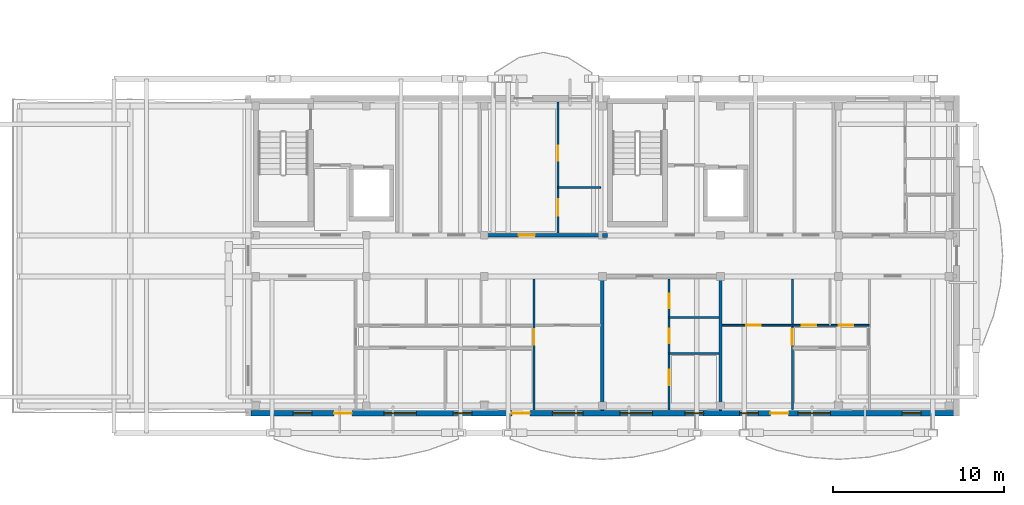
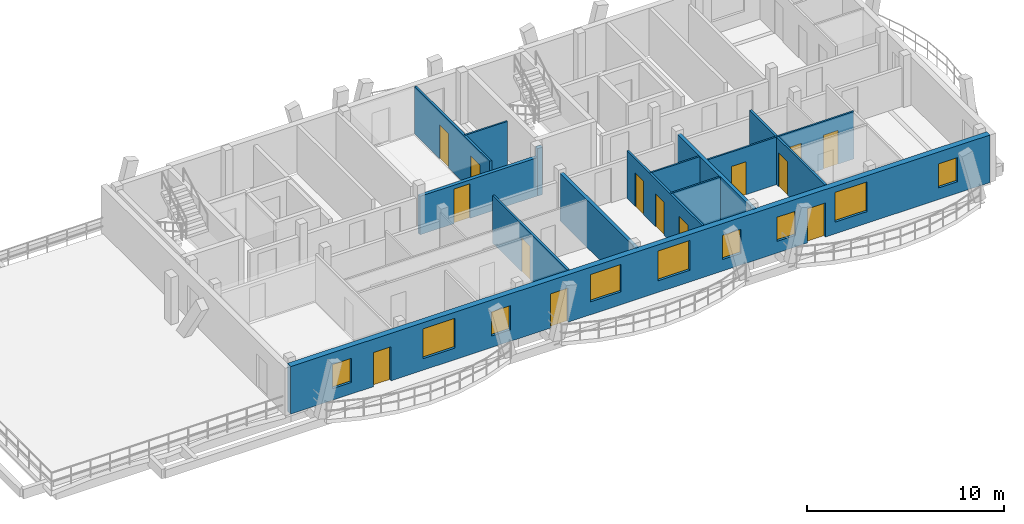
# One storey, part 29 of 48: 14 doors, 13 walls, 9 windows, 23 openings.
"""IFC4 building model written with IfcOpenShell, lengths in metres."""

from ifc_helpers import new_model, si_unit, direction, frame, frame_2d, origin, origin_with_axes, place, context, subcontext, project, spatial, rectangle, extrude, material, layer, layer_set, type_object, element, fill, save


model = new_model("IFC4")

# Units and contexts
model_context = context("Model", 3, precision=1e-05, world=origin(), true_north=direction((0.0, 1.0)))
body_context = subcontext(model_context, "Body", "Model", "MODEL_VIEW")
ifc_project = project(units=[si_unit("LENGTHUNIT", "METRE"), si_unit("AREAUNIT", "SQUARE_METRE"), si_unit("VOLUMEUNIT", "CUBIC_METRE"), si_unit("PLANEANGLEUNIT", "RADIAN"), si_unit("MASSUNIT", "GRAM", prefix="KILO")], contexts=[model_context])

# Site, building, storey
site_placement = place(None, origin())
site = spatial("IfcSite", under=ifc_project, at=site_placement, CompositionType="ELEMENT")
building_placement = place(site_placement, origin())
building = spatial("IfcBuilding", under=site, at=building_placement, Name="Zavelmont Quarter", CompositionType="ELEMENT")
storey_placement = place(building_placement, frame((0.0, 0.0, 17.60009765625)))
storey = spatial("IfcBuildingStorey", under=building, at=storey_placement, Name="L05", CompositionType="ELEMENT", Elevation=17.60009765625)

# Wall, openings, doors, windows
ifc_material_1 = material(Name="Natural Belgian limestone", Category="masonry")
ifc_layer_1 = layer(ifc_material_1, 0.340087890625)
ifc_layer_set_1 = layer_set([ifc_layer_1], Name="Natural Belgian limestone")
wall_type_1 = type_object("IfcWallType", Name="EW03", PredefinedType="STANDARD", material=ifc_layer_set_1)
wall_1_placement = place(storey_placement, frame((126.760009765625, 0.0, 0.0), z_axis=(0.0, 0.0, 1.0), x_axis=(1.0, 0.0, 0.0)))
wall_1 = element("IfcWall", 1, at=wall_1_placement, inside=storey, type_object=wall_type_1, Name="L05 exterior limestone wall EW03", PredefinedType="STANDARD", context=body_context, shape_type="SweptSolid", body=[
    extrude(rectangle(XDim=41.080078125, YDim=0.340087890625, at=frame_2d((20.5400390625, 0.0))), origin(), (0.0, 0.0, 1.0), 2.949951171875),
])
opening_1_placement = place(wall_1_placement, frame((4.85302734375, 0.0, 0.0)))
opening_1 = element("IfcOpeningElement", 2, at=opening_1_placement, cuts=wall_1, Name="Opening DR04A", PredefinedType="OPENING", context=body_context, shape_type="SweptSolid", body=[
    extrude(rectangle(XDim=1.050048828125, YDim=2.1201171875, at=frame_2d((0.52490234375, 1.06005859375))), frame((0.0, 0.18212890625, 0.0), z_axis=(0.0, -1.0, 0.0), x_axis=(1.0, 0.0, 0.0)), (0.0, 0.0, 1.0), 0.364013671875),
])
opening_2_placement = place(wall_1_placement, frame((15.2529296875, 0.0, 0.0)))
opening_2 = element("IfcOpeningElement", 3, at=opening_2_placement, cuts=wall_1, Name="Opening DR04A", PredefinedType="OPENING", context=body_context, shape_type="SweptSolid", body=[
    extrude(rectangle(XDim=1.050048828125, YDim=2.1201171875, at=frame_2d((0.52490234375, 1.06005859375))), frame((0.0, 0.18212890625, 0.0), z_axis=(0.0, -1.0, 0.0), x_axis=(1.0, 0.0, 0.0)), (0.0, 0.0, 1.0), 0.364013671875),
])
opening_3_placement = place(wall_1_placement, frame((30.35302734375, 0.0, 0.0)))
opening_3 = element("IfcOpeningElement", 4, at=opening_3_placement, cuts=wall_1, Name="Opening DR04A", PredefinedType="OPENING", context=body_context, shape_type="SweptSolid", body=[
    extrude(rectangle(XDim=1.050048828125, YDim=2.1201171875, at=frame_2d((0.52490234375, 1.06005859375))), frame((0.0, 0.18212890625, 0.0), z_axis=(0.0, -1.0, 0.0), x_axis=(1.0, 0.0, 0.0)), (0.0, 0.0, 1.0), 0.364013671875),
])
opening_4_placement = place(wall_1_placement, frame((2.4599609375, 0.0, 0.719970703125)))
opening_4 = element("IfcOpeningElement", 5, at=opening_4_placement, cuts=wall_1, Name="Opening WN09", PredefinedType="OPENING", context=body_context, shape_type="SweptSolid", body=[
    extrude(rectangle(XDim=1.10009765625, YDim=1.5, at=frame_2d((0.550048828125, 0.75))), frame((0.0, 0.18212890625, 0.0), z_axis=(0.0, -1.0, 0.0), x_axis=(1.0, 0.0, 0.0)), (0.0, 0.0, 1.0), 0.364013671875),
])
opening_5_placement = place(wall_1_placement, frame((7.760009765625, 0.0, 0.719970703125)))
opening_5 = element("IfcOpeningElement", 6, at=opening_5_placement, cuts=wall_1, Name="Opening WN20", PredefinedType="OPENING", context=body_context, shape_type="SweptSolid", body=[
    extrude(rectangle(XDim=1.89990234375, YDim=1.85009765625, at=frame_2d((0.949951171875, 0.925048828125))), frame((0.0, 0.18212890625, 0.0), z_axis=(0.0, -1.0, 0.0), x_axis=(1.0, 0.0, 0.0)), (0.0, 0.0, 1.0), 0.364013671875),
])
opening_6_placement = place(wall_1_placement, frame((11.81005859375, 0.0, 0.719970703125)))
opening_6 = element("IfcOpeningElement", 7, at=opening_6_placement, cuts=wall_1, Name="Opening WN09", PredefinedType="OPENING", context=body_context, shape_type="SweptSolid", body=[
    extrude(rectangle(XDim=1.10009765625, YDim=1.5, at=frame_2d((0.550048828125, 0.75))), frame((0.0, 0.18212890625, 0.0), z_axis=(0.0, -1.0, 0.0), x_axis=(1.0, 0.0, 0.0)), (0.0, 0.0, 1.0), 0.364013671875),
])
opening_7_placement = place(wall_1_placement, frame((17.610107421875, 0.0, 0.800048828125)))
opening_7 = element("IfcOpeningElement", 8, at=opening_7_placement, cuts=wall_1, Name="Opening WN02", PredefinedType="OPENING", context=body_context, shape_type="SweptSolid", body=[
    extrude(rectangle(XDim=1.800048828125, YDim=1.699951171875, at=frame_2d((0.89990234375, 0.85009765625))), frame((0.0, 0.18212890625, 0.0), z_axis=(0.0, -1.0, 0.0), x_axis=(1.0, 0.0, 0.0)), (0.0, 0.0, 1.0), 0.364013671875),
])
opening_8_placement = place(wall_1_placement, frame((21.56005859375, 0.0, 0.719970703125)))
opening_8 = element("IfcOpeningElement", 9, at=opening_8_placement, cuts=wall_1, Name="Opening WN20", PredefinedType="OPENING", context=body_context, shape_type="SweptSolid", body=[
    extrude(rectangle(XDim=1.89990234375, YDim=1.85009765625, at=frame_2d((0.949951171875, 0.925048828125))), frame((0.0, 0.18212890625, 0.0), z_axis=(0.0, -1.0, 0.0), x_axis=(1.0, 0.0, 0.0)), (0.0, 0.0, 1.0), 0.364013671875),
])
opening_9_placement = place(wall_1_placement, frame((25.360107421875, 0.0, 0.719970703125)))
opening_9 = element("IfcOpeningElement", 10, at=opening_9_placement, cuts=wall_1, Name="Opening WN09", PredefinedType="OPENING", context=body_context, shape_type="SweptSolid", body=[
    extrude(rectangle(XDim=1.10009765625, YDim=1.5, at=frame_2d((0.550048828125, 0.75))), frame((0.0, 0.18212890625, 0.0), z_axis=(0.0, -1.0, 0.0), x_axis=(1.0, 0.0, 0.0)), (0.0, 0.0, 1.0), 0.364013671875),
])
opening_10_placement = place(wall_1_placement, frame((28.56005859375, 0.0, 0.719970703125)))
opening_10 = element("IfcOpeningElement", 11, at=opening_10_placement, cuts=wall_1, Name="Opening WN09", PredefinedType="OPENING", context=body_context, shape_type="SweptSolid", body=[
    extrude(rectangle(XDim=1.10009765625, YDim=1.5, at=frame_2d((0.550048828125, 0.75))), frame((0.0, 0.18212890625, 0.0), z_axis=(0.0, -1.0, 0.0), x_axis=(1.0, 0.0, 0.0)), (0.0, 0.0, 1.0), 0.364013671875),
])
opening_11_placement = place(wall_1_placement, frame((31.9599609375, 0.0, 0.719970703125)))
opening_11 = element("IfcOpeningElement", 12, at=opening_11_placement, cuts=wall_1, Name="Opening WN20", PredefinedType="OPENING", context=body_context, shape_type="SweptSolid", body=[
    extrude(rectangle(XDim=1.89990234375, YDim=1.85009765625, at=frame_2d((0.949951171875, 0.925048828125))), frame((0.0, 0.18212890625, 0.0), z_axis=(0.0, -1.0, 0.0), x_axis=(1.0, 0.0, 0.0)), (0.0, 0.0, 1.0), 0.364013671875),
])
opening_12_placement = place(wall_1_placement, frame((38.06005859375, 0.0, 0.719970703125)))
opening_12 = element("IfcOpeningElement", 13, at=opening_12_placement, cuts=wall_1, Name="Opening WN09", PredefinedType="OPENING", context=body_context, shape_type="SweptSolid", body=[
    extrude(rectangle(XDim=1.10009765625, YDim=1.5, at=frame_2d((0.550048828125, 0.75))), frame((0.0, 0.18212890625, 0.0), z_axis=(0.0, -1.0, 0.0), x_axis=(1.0, 0.0, 0.0)), (0.0, 0.0, 1.0), 0.364013671875),
])
ifc_material_2 = material(Name="Thermally broken aluminium and double safety glass", Category="aluminium")
door_type_1 = type_object("IfcDoorType", Name="DR04A", OperationType="NOTDEFINED", PredefinedType="DOOR", material=ifc_material_2)
door_1_placement = place(opening_1_placement, origin_with_axes())
door_1 = element("IfcDoor", 14, at=door_1_placement, inside=storey, type_object=door_type_1, Name="Block D L05 glazed balcony door", OperationType="SINGLE_SWING_RIGHT", OverallHeight=2.1201171875, OverallWidth=1.050048828125, PredefinedType="DOOR", context=body_context, shape_type="SweptSolid", body=[
    extrude(rectangle(XDim=1.050048828125, YDim=2.1201171875, at=frame_2d((0.52490234375, 1.06005859375))), frame((0.0, 0.02490234375, 0.0), z_axis=(0.0, -1.0, 0.0), x_axis=(1.0, 0.0, 0.0)), (0.0, 0.0, 1.0), 0.050048828125),
])
fill(opening_1, door_1)
door_2_placement = place(opening_2_placement, origin_with_axes())
door_2 = element("IfcDoor", 15, at=door_2_placement, inside=storey, type_object=door_type_1, Name="Block D L05 glazed balcony door", OperationType="SINGLE_SWING_RIGHT", OverallHeight=2.1201171875, OverallWidth=1.050048828125, PredefinedType="DOOR", context=body_context, shape_type="SweptSolid", body=[
    extrude(rectangle(XDim=1.050048828125, YDim=2.1201171875, at=frame_2d((0.52490234375, 1.06005859375))), frame((0.0, 0.02490234375, 0.0), z_axis=(0.0, -1.0, 0.0), x_axis=(1.0, 0.0, 0.0)), (0.0, 0.0, 1.0), 0.050048828125),
])
fill(opening_2, door_2)
door_3_placement = place(opening_3_placement, origin_with_axes())
door_3 = element("IfcDoor", 16, at=door_3_placement, inside=storey, type_object=door_type_1, Name="Block D L05 glazed balcony door", OperationType="SINGLE_SWING_RIGHT", OverallHeight=2.1201171875, OverallWidth=1.050048828125, PredefinedType="DOOR", context=body_context, shape_type="SweptSolid", body=[
    extrude(rectangle(XDim=1.050048828125, YDim=2.1201171875, at=frame_2d((0.52490234375, 1.06005859375))), frame((0.0, 0.02490234375, 0.0), z_axis=(0.0, -1.0, 0.0), x_axis=(1.0, 0.0, 0.0)), (0.0, 0.0, 1.0), 0.050048828125),
])
fill(opening_3, door_3)
ifc_material_3 = material(Name="Double low-E insulated glazing in thermally broken aluminium frame", Category="aluminium")
window_type_1 = type_object("IfcWindowType", Name="WN02", PartitioningType="SINGLE_PANEL", PredefinedType="WINDOW", material=ifc_material_3)
window_1_placement = place(opening_7_placement, origin_with_axes())
window_1 = element("IfcWindow", 17, at=window_1_placement, inside=storey, type_object=window_type_1, Name="L05 window WN02", OverallHeight=1.699951171875, OverallWidth=1.800048828125, PartitioningType="SINGLE_PANEL", PredefinedType="WINDOW", context=body_context, shape_type="SweptSolid", body=[
    extrude(rectangle(XDim=1.800048828125, YDim=1.699951171875, at=frame_2d((0.89990234375, 0.85009765625))), frame((0.0, 0.030029296875, 0.0), z_axis=(0.0, -1.0, 0.0), x_axis=(1.0, 0.0, 0.0)), (0.0, 0.0, 1.0), 0.06005859375),
])
fill(opening_7, window_1)
window_type_2 = type_object("IfcWindowType", Name="WN09", PartitioningType="SINGLE_PANEL", PredefinedType="WINDOW", material=ifc_material_3)
window_2_placement = place(opening_4_placement, origin_with_axes())
window_2 = element("IfcWindow", 18, at=window_2_placement, inside=storey, type_object=window_type_2, Name="L05 window WN09", OverallHeight=1.5, OverallWidth=1.10009765625, PartitioningType="SINGLE_PANEL", PredefinedType="WINDOW", context=body_context, shape_type="SweptSolid", body=[
    extrude(rectangle(XDim=1.10009765625, YDim=1.5, at=frame_2d((0.550048828125, 0.75))), frame((0.0, 0.030029296875, 0.0), z_axis=(0.0, -1.0, 0.0), x_axis=(1.0, 0.0, 0.0)), (0.0, 0.0, 1.0), 0.06005859375),
])
fill(opening_4, window_2)
window_3_placement = place(opening_6_placement, origin_with_axes())
window_3 = element("IfcWindow", 19, at=window_3_placement, inside=storey, type_object=window_type_2, Name="L05 window WN09", OverallHeight=1.5, OverallWidth=1.10009765625, PartitioningType="SINGLE_PANEL", PredefinedType="WINDOW", context=body_context, shape_type="SweptSolid", body=[
    extrude(rectangle(XDim=1.10009765625, YDim=1.5, at=frame_2d((0.550048828125, 0.75))), frame((0.0, 0.030029296875, 0.0), z_axis=(0.0, -1.0, 0.0), x_axis=(1.0, 0.0, 0.0)), (0.0, 0.0, 1.0), 0.06005859375),
])
fill(opening_6, window_3)
window_4_placement = place(opening_9_placement, origin_with_axes())
window_4 = element("IfcWindow", 20, at=window_4_placement, inside=storey, type_object=window_type_2, Name="L05 window WN09", OverallHeight=1.5, OverallWidth=1.10009765625, PartitioningType="SINGLE_PANEL", PredefinedType="WINDOW", context=body_context, shape_type="SweptSolid", body=[
    extrude(rectangle(XDim=1.10009765625, YDim=1.5, at=frame_2d((0.550048828125, 0.75))), frame((0.0, 0.030029296875, 0.0), z_axis=(0.0, -1.0, 0.0), x_axis=(1.0, 0.0, 0.0)), (0.0, 0.0, 1.0), 0.06005859375),
])
fill(opening_9, window_4)
window_5_placement = place(opening_10_placement, origin_with_axes())
window_5 = element("IfcWindow", 21, at=window_5_placement, inside=storey, type_object=window_type_2, Name="L05 window WN09", OverallHeight=1.5, OverallWidth=1.10009765625, PartitioningType="SINGLE_PANEL", PredefinedType="WINDOW", context=body_context, shape_type="SweptSolid", body=[
    extrude(rectangle(XDim=1.10009765625, YDim=1.5, at=frame_2d((0.550048828125, 0.75))), frame((0.0, 0.030029296875, 0.0), z_axis=(0.0, -1.0, 0.0), x_axis=(1.0, 0.0, 0.0)), (0.0, 0.0, 1.0), 0.06005859375),
])
fill(opening_10, window_5)
window_6_placement = place(opening_12_placement, origin_with_axes())
window_6 = element("IfcWindow", 22, at=window_6_placement, inside=storey, type_object=window_type_2, Name="L05 window WN09", OverallHeight=1.5, OverallWidth=1.10009765625, PartitioningType="SINGLE_PANEL", PredefinedType="WINDOW", context=body_context, shape_type="SweptSolid", body=[
    extrude(rectangle(XDim=1.10009765625, YDim=1.5, at=frame_2d((0.550048828125, 0.75))), frame((0.0, 0.030029296875, 0.0), z_axis=(0.0, -1.0, 0.0), x_axis=(1.0, 0.0, 0.0)), (0.0, 0.0, 1.0), 0.06005859375),
])
fill(opening_12, window_6)
window_type_3 = type_object("IfcWindowType", Name="WN20", PartitioningType="SINGLE_PANEL", PredefinedType="WINDOW", material=ifc_material_3)
window_7_placement = place(opening_5_placement, origin_with_axes())
window_7 = element("IfcWindow", 23, at=window_7_placement, inside=storey, type_object=window_type_3, Name="L05 window WN20", OverallHeight=1.85009765625, OverallWidth=1.89990234375, PartitioningType="SINGLE_PANEL", PredefinedType="WINDOW", context=body_context, shape_type="SweptSolid", body=[
    extrude(rectangle(XDim=1.89990234375, YDim=1.85009765625, at=frame_2d((0.949951171875, 0.925048828125))), frame((0.0, 0.030029296875, 0.0), z_axis=(0.0, -1.0, 0.0), x_axis=(1.0, 0.0, 0.0)), (0.0, 0.0, 1.0), 0.06005859375),
])
fill(opening_5, window_7)
window_8_placement = place(opening_8_placement, origin_with_axes())
window_8 = element("IfcWindow", 24, at=window_8_placement, inside=storey, type_object=window_type_3, Name="L05 window WN20", OverallHeight=1.85009765625, OverallWidth=1.89990234375, PartitioningType="SINGLE_PANEL", PredefinedType="WINDOW", context=body_context, shape_type="SweptSolid", body=[
    extrude(rectangle(XDim=1.89990234375, YDim=1.85009765625, at=frame_2d((0.949951171875, 0.925048828125))), frame((0.0, 0.030029296875, 0.0), z_axis=(0.0, -1.0, 0.0), x_axis=(1.0, 0.0, 0.0)), (0.0, 0.0, 1.0), 0.06005859375),
])
fill(opening_8, window_8)
window_9_placement = place(opening_11_placement, origin_with_axes())
window_9 = element("IfcWindow", 25, at=window_9_placement, inside=storey, type_object=window_type_3, Name="L05 window WN20", OverallHeight=1.85009765625, OverallWidth=1.89990234375, PartitioningType="SINGLE_PANEL", PredefinedType="WINDOW", context=body_context, shape_type="SweptSolid", body=[
    extrude(rectangle(XDim=1.89990234375, YDim=1.85009765625, at=frame_2d((0.949951171875, 0.925048828125))), frame((0.0, 0.030029296875, 0.0), z_axis=(0.0, -1.0, 0.0), x_axis=(1.0, 0.0, 0.0)), (0.0, 0.0, 1.0), 0.06005859375),
])
fill(opening_11, window_9)

# Walls
ifc_material_4 = material(Name="Calcium-silicate blockwork and acoustic plaster", Category="masonry")
ifc_layer_2 = layer(ifc_material_4, 0.199951171875)
ifc_layer_set_2 = layer_set([ifc_layer_2], Name="Calcium-silicate blockwork and acoustic plaster")
wall_type_2 = type_object("IfcWallType", Name="IW01", PredefinedType="PARTITIONING", material=ifc_layer_set_2)
for number, where, z_axis, x_axis, name in (
    (26, (147.300048828125, 7.85009765625, 0.0), (0.0, 0.0, 1.0), (0.0, -1.0, 0.0), "L05 Inter-dwelling compartment wall IW01"),
    (27, (154.199951171875, 7.85009765625, 0.0), (0.0, 0.0, 1.0), (0.0, -1.0, 0.0), "L05 Inter-dwelling compartment wall IW01"),
):
    element("IfcWall", number, at=place(storey_placement, frame(where, z_axis=z_axis, x_axis=x_axis)), inside=storey, type_object=wall_type_2, Name=name, PredefinedType="PARTITIONING", context=body_context, shape_type="SweptSolid", body=[
        extrude(rectangle(XDim=7.7001953125, YDim=0.199951171875, at=frame_2d((3.85009765625, 0.0))), origin(), (0.0, 0.0, 1.0), 2.949951171875),
    ])

# Wall, opening, door
wall_2_placement = place(storey_placement, frame((140.39990234375, 10.39990234375, 0.0), z_axis=(0.0, 0.0, 1.0), x_axis=(1.0, 0.0, 0.0)))
wall_2 = element("IfcWall", 28, at=wall_2_placement, inside=storey, type_object=wall_type_2, Name="L05 Corridor compartment wall IW01", PredefinedType="PARTITIONING", context=body_context, shape_type="SweptSolid", body=[
    extrude(rectangle(XDim=6.900146484375, YDim=0.199951171875, at=frame_2d((3.4501953125, 0.0))), origin(), (0.0, 0.0, 1.0), 2.389892578125),
])
opening_13_placement = place(wall_2_placement, frame((2.0, 0.0, 0.0)))
opening_13 = element("IfcOpeningElement", 29, at=opening_13_placement, cuts=wall_2, Name="Opening DR02", PredefinedType="OPENING", context=body_context, shape_type="SweptSolid", body=[
    extrude(rectangle(XDim=0.949951171875, YDim=2.14990234375, at=frame_2d((0.47509765625, 1.074951171875))), frame((0.0, 0.11181640625, 0.0), z_axis=(0.0, -1.0, 0.0), x_axis=(1.0, 0.0, 0.0)), (0.0, 0.0, 1.0), 0.223876953125),
])
ifc_material_5 = material(Name="Solid-core oak fire leaf in steel frame", Category="steel")
door_type_2 = type_object("IfcDoorType", Name="DR02", OperationType="NOTDEFINED", PredefinedType="DOOR", material=ifc_material_5)
door_4_placement = place(opening_13_placement, origin_with_axes())
door_4 = element("IfcDoor", 30, at=door_4_placement, inside=storey, type_object=door_type_2, Name="L05 door DR02", OperationType="SINGLE_SWING_LEFT", OverallHeight=2.14990234375, OverallWidth=0.949951171875, PredefinedType="DOOR", context=body_context, shape_type="SweptSolid", body=[
    extrude(rectangle(XDim=0.949951171875, YDim=2.14990234375, at=frame_2d((0.47509765625, 1.074951171875))), frame((0.0, 0.02490234375, 0.0), z_axis=(0.0, -1.0, 0.0), x_axis=(1.0, 0.0, 0.0)), (0.0, 0.0, 1.0), 0.050048828125),
])
fill(opening_13, door_4)

# Wall
ifc_material_6 = material(Name="Reinforced masonry fire compartment wall", Category="masonry")
ifc_layer_3 = layer(ifc_material_6, 0.22509765625)
ifc_layer_set_3 = layer_set([ifc_layer_3], Name="Reinforced masonry fire compartment wall")
wall_type_3 = type_object("IfcWallType", Name="IW02", PredefinedType="PARTITIONING", material=ifc_layer_set_3)
wall_3_placement = place(storey_placement, frame((147.300048828125, 10.39990234375, 0.0), z_axis=(0.0, 0.0, 1.0), x_axis=(1.0, 0.0, 0.0)))
element("IfcWall", 31, at=wall_3_placement, inside=storey, type_object=wall_type_3, Name="L05 Core corridor wall IW02", PredefinedType="PARTITIONING", context=body_context, shape_type="SweptSolid", body=[
    extrude(rectangle(XDim=0.300048828125, YDim=0.22509765625, at=frame_2d((0.14990234375, 0.0))), origin(), (0.0, 0.0, 1.0), 2.949951171875),
])

# Wall, opening, door
ifc_material_7 = material(Name="Double gypsum board on acoustic steel stud", Category="steel")
ifc_layer_4 = layer(ifc_material_7, 0.125)
ifc_layer_set_4 = layer_set([ifc_layer_4], Name="Double gypsum board on acoustic steel stud")
wall_type_4 = type_object("IfcWallType", Name="IW03", PredefinedType="PARTITIONING", material=ifc_layer_set_4)
wall_4_placement = place(storey_placement, frame((143.300048828125, 7.85009765625, 0.0), z_axis=(0.0, 0.0, 1.0), x_axis=(0.0, -1.0, 0.0)))
wall_4 = element("IfcWall", 32, at=wall_4_placement, inside=storey, type_object=wall_type_4, Name="L05 Partition IW03", PredefinedType="PARTITIONING", context=body_context, shape_type="SweptSolid", body=[
    extrude(rectangle(XDim=7.650146484375, YDim=0.125, at=frame_2d((3.8251953125, 0.0))), origin(), (0.0, 0.0, 1.0), 2.949951171875),
])
opening_14_placement = place(wall_4_placement, frame((2.949951171875, 0.0, 0.0)))
opening_14 = element("IfcOpeningElement", 33, at=opening_14_placement, cuts=wall_4, Name="Opening DR05", PredefinedType="OPENING", context=body_context, shape_type="SweptSolid", body=[
    extrude(rectangle(XDim=0.89990234375, YDim=2.10009765625, at=frame_2d((0.449951171875, 1.050048828125))), frame((0.0, 0.074462890625, 0.0), z_axis=(0.0, -1.0, 0.0), x_axis=(1.0, 0.0, 0.0)), (0.0, 0.0, 1.0), 0.14892578125),
])
ifc_material_8 = material(Name="Engineered oak flush interior door")
door_type_3 = type_object("IfcDoorType", Name="DR05", OperationType="NOTDEFINED", PredefinedType="DOOR", material=ifc_material_8)
door_5_placement = place(opening_14_placement, origin_with_axes())
door_5 = element("IfcDoor", 34, at=door_5_placement, inside=storey, type_object=door_type_3, Name="L05 door DR05", OperationType="SINGLE_SWING_RIGHT", OverallHeight=2.10009765625, OverallWidth=0.89990234375, PredefinedType="DOOR", context=body_context, shape_type="SweptSolid", body=[
    extrude(rectangle(XDim=0.89990234375, YDim=2.10009765625, at=frame_2d((0.449951171875, 1.050048828125))), frame((0.0, 0.02490234375, 0.0), z_axis=(0.0, -1.0, 0.0), x_axis=(1.0, 0.0, 0.0)), (0.0, 0.0, 1.0), 0.050048828125),
])
fill(opening_14, door_5)

# Wall, openings, doors
wall_5_placement = place(storey_placement, frame((151.199951171875, 7.85009765625, 0.0), z_axis=(0.0, 0.0, 1.0), x_axis=(0.0, -1.0, 0.0)))
wall_5 = element("IfcWall", 35, at=wall_5_placement, inside=storey, type_object=wall_type_4, Name="L05 Partition IW03", PredefinedType="PARTITIONING", context=body_context, shape_type="SweptSolid", body=[
    extrude(rectangle(XDim=7.650146484375, YDim=0.125, at=frame_2d((3.8251953125, 0.0))), origin(), (0.0, 0.0, 1.0), 2.949951171875),
])
opening_15_placement = place(wall_5_placement, frame((0.85009765625, 0.0, 0.0)))
opening_15 = element("IfcOpeningElement", 36, at=opening_15_placement, cuts=wall_5, Name="Opening DR16", PredefinedType="OPENING", context=body_context, shape_type="SweptSolid", body=[
    extrude(rectangle(XDim=0.85009765625, YDim=2.10009765625, at=frame_2d((0.425048828125, 1.050048828125))), frame((0.0, 0.074462890625, 0.0), z_axis=(0.0, -1.0, 0.0), x_axis=(1.0, 0.0, 0.0)), (0.0, 0.0, 1.0), 0.14892578125),
])
opening_16_placement = place(wall_5_placement, frame((2.89990234375, 0.0, 0.0)))
opening_16 = element("IfcOpeningElement", 37, at=opening_16_placement, cuts=wall_5, Name="Opening DR06", PredefinedType="OPENING", context=body_context, shape_type="SweptSolid", body=[
    extrude(rectangle(XDim=0.85009765625, YDim=2.050048828125, at=frame_2d((0.425048828125, 1.02490234375))), frame((0.0, 0.074462890625, 0.0), z_axis=(0.0, -1.0, 0.0), x_axis=(1.0, 0.0, 0.0)), (0.0, 0.0, 1.0), 0.14892578125),
])
opening_17_placement = place(wall_5_placement, frame((5.300048828125, 0.0, 0.0)))
opening_17 = element("IfcOpeningElement", 38, at=opening_17_placement, cuts=wall_5, Name="Opening DR05", PredefinedType="OPENING", context=body_context, shape_type="SweptSolid", body=[
    extrude(rectangle(XDim=0.89990234375, YDim=2.10009765625, at=frame_2d((0.449951171875, 1.050048828125))), frame((0.0, 0.074462890625, 0.0), z_axis=(0.0, -1.0, 0.0), x_axis=(1.0, 0.0, 0.0)), (0.0, 0.0, 1.0), 0.14892578125),
])
door_6_placement = place(opening_17_placement, origin_with_axes())
door_6 = element("IfcDoor", 39, at=door_6_placement, inside=storey, type_object=door_type_3, Name="L05 door DR05", OperationType="SINGLE_SWING_LEFT", OverallHeight=2.10009765625, OverallWidth=0.89990234375, PredefinedType="DOOR", context=body_context, shape_type="SweptSolid", body=[
    extrude(rectangle(XDim=0.89990234375, YDim=2.10009765625, at=frame_2d((0.449951171875, 1.050048828125))), frame((0.0, 0.02490234375, 0.0), z_axis=(0.0, -1.0, 0.0), x_axis=(1.0, 0.0, 0.0)), (0.0, 0.0, 1.0), 0.050048828125),
])
fill(opening_17, door_6)
ifc_material_9 = material(Name="Moisture-resistant painted wet-room door")
door_type_4 = type_object("IfcDoorType", Name="DR06", OperationType="NOTDEFINED", PredefinedType="DOOR", material=ifc_material_9)
door_7_placement = place(opening_16_placement, frame((0.85009765625, 0.0, 0.0), z_axis=(0.0, 0.0, 1.0), x_axis=(-1.0, 0.0, 0.0)))
door_7 = element("IfcDoor", 40, at=door_7_placement, inside=storey, type_object=door_type_4, Name="L05 door DR06", OperationType="SINGLE_SWING_RIGHT", OverallHeight=2.050048828125, OverallWidth=0.85009765625, PredefinedType="DOOR", context=body_context, shape_type="SweptSolid", body=[
    extrude(rectangle(XDim=0.85009765625, YDim=2.050048828125, at=frame_2d((0.425048828125, 1.02490234375))), frame((0.0, 0.02490234375, 0.0), z_axis=(0.0, -1.0, 0.0), x_axis=(1.0, 0.0, 0.0)), (0.0, 0.0, 1.0), 0.050048828125),
])
fill(opening_16, door_7)
door_type_5 = type_object("IfcDoorType", Name="DR16", OperationType="NOTDEFINED", PredefinedType="DOOR", material=ifc_material_8)
door_8_placement = place(opening_15_placement, origin_with_axes())
door_8 = element("IfcDoor", 41, at=door_8_placement, inside=storey, type_object=door_type_5, Name="L05 door DR16", OperationType="SINGLE_SWING_LEFT", OverallHeight=2.10009765625, OverallWidth=0.85009765625, PredefinedType="DOOR", context=body_context, shape_type="SweptSolid", body=[
    extrude(rectangle(XDim=0.85009765625, YDim=2.10009765625, at=frame_2d((0.425048828125, 1.050048828125))), frame((0.0, 0.02490234375, 0.0), z_axis=(0.0, -1.0, 0.0), x_axis=(1.0, 0.0, 0.0)), (0.0, 0.0, 1.0), 0.050048828125),
])
fill(opening_15, door_8)

# Wall, opening, door
wall_6_placement = place(storey_placement, frame((158.39990234375, 7.85009765625, 0.0), z_axis=(0.0, 0.0, 1.0), x_axis=(0.0, -1.0, 0.0)))
wall_6 = element("IfcWall", 42, at=wall_6_placement, inside=storey, type_object=wall_type_4, Name="L05 Partition IW03", PredefinedType="PARTITIONING", context=body_context, shape_type="SweptSolid", body=[
    extrude(rectangle(XDim=7.650146484375, YDim=0.125, at=frame_2d((3.8251953125, 0.0))), origin(), (0.0, 0.0, 1.0), 2.949951171875),
])
opening_18_placement = place(wall_6_placement, frame((2.949951171875, 0.0, 0.0)))
opening_18 = element("IfcOpeningElement", 43, at=opening_18_placement, cuts=wall_6, Name="Opening DR05", PredefinedType="OPENING", context=body_context, shape_type="SweptSolid", body=[
    extrude(rectangle(XDim=0.89990234375, YDim=2.10009765625, at=frame_2d((0.449951171875, 1.050048828125))), frame((0.0, 0.074462890625, 0.0), z_axis=(0.0, -1.0, 0.0), x_axis=(1.0, 0.0, 0.0)), (0.0, 0.0, 1.0), 0.14892578125),
])
door_9_placement = place(opening_18_placement, frame((0.89990234375, 0.0, 0.0), z_axis=(0.0, 0.0, 1.0), x_axis=(-1.0, 0.0, 0.0)))
door_9 = element("IfcDoor", 44, at=door_9_placement, inside=storey, type_object=door_type_3, Name="L05 door DR05", OperationType="SINGLE_SWING_LEFT", OverallHeight=2.10009765625, OverallWidth=0.89990234375, PredefinedType="DOOR", context=body_context, shape_type="SweptSolid", body=[
    extrude(rectangle(XDim=0.89990234375, YDim=2.10009765625, at=frame_2d((0.449951171875, 1.050048828125))), frame((0.0, 0.02490234375, 0.0), z_axis=(0.0, -1.0, 0.0), x_axis=(1.0, 0.0, 0.0)), (0.0, 0.0, 1.0), 0.050048828125),
])
fill(opening_18, door_9)

# Wall, openings, doors
wall_7_placement = place(storey_placement, frame((144.699951171875, 10.550048828125, 0.0), z_axis=(0.0, 0.0, 1.0), x_axis=(0.0, 1.0, 0.0)))
wall_7 = element("IfcWall", 45, at=wall_7_placement, inside=storey, type_object=wall_type_4, Name="L05 Partition IW03", PredefinedType="PARTITIONING", context=body_context, shape_type="SweptSolid", body=[
    extrude(rectangle(XDim=7.64990234375, YDim=0.125, at=frame_2d((3.824951171875, 0.0))), origin(), (0.0, 0.0, 1.0), 2.949951171875),
])
opening_19_placement = place(wall_7_placement, frame((1.0, 0.0, 0.0)))
opening_19 = element("IfcOpeningElement", 46, at=opening_19_placement, cuts=wall_7, Name="Opening DR17", PredefinedType="OPENING", context=body_context, shape_type="SweptSolid", body=[
    extrude(rectangle(XDim=0.949951171875, YDim=2.10009765625, at=frame_2d((0.47509765625, 1.050048828125))), frame((0.0, 0.074462890625, 0.0), z_axis=(0.0, -1.0, 0.0), x_axis=(1.0, 0.0, 0.0)), (0.0, 0.0, 1.0), 0.14892578125),
])
opening_20_placement = place(wall_7_placement, frame((4.199951171875, 0.0, 0.0)))
opening_20 = element("IfcOpeningElement", 47, at=opening_20_placement, cuts=wall_7, Name="Opening DR05", PredefinedType="OPENING", context=body_context, shape_type="SweptSolid", body=[
    extrude(rectangle(XDim=0.89990234375, YDim=2.10009765625, at=frame_2d((0.449951171875, 1.050048828125))), frame((0.0, 0.074462890625, 0.0), z_axis=(0.0, -1.0, 0.0), x_axis=(1.0, 0.0, 0.0)), (0.0, 0.0, 1.0), 0.14892578125),
])
door_10_placement = place(opening_20_placement, origin_with_axes())
door_10 = element("IfcDoor", 48, at=door_10_placement, inside=storey, type_object=door_type_3, Name="L05 door DR05", OperationType="SINGLE_SWING_RIGHT", OverallHeight=2.10009765625, OverallWidth=0.89990234375, PredefinedType="DOOR", context=body_context, shape_type="SweptSolid", body=[
    extrude(rectangle(XDim=0.89990234375, YDim=2.10009765625, at=frame_2d((0.449951171875, 1.050048828125))), frame((0.0, 0.02490234375, 0.0), z_axis=(0.0, -1.0, 0.0), x_axis=(1.0, 0.0, 0.0)), (0.0, 0.0, 1.0), 0.050048828125),
])
fill(opening_20, door_10)
ifc_material_10 = material(Name="Accessible washroom flush door")
door_type_6 = type_object("IfcDoorType", Name="DR17", OperationType="NOTDEFINED", PredefinedType="DOOR", material=ifc_material_10)
door_11_placement = place(opening_19_placement, frame((0.949951171875, 0.0, 0.0), z_axis=(0.0, 0.0, 1.0), x_axis=(-1.0, 0.0, 0.0)))
door_11 = element("IfcDoor", 49, at=door_11_placement, inside=storey, type_object=door_type_6, Name="L05 door DR17", OperationType="SINGLE_SWING_LEFT", OverallHeight=2.10009765625, OverallWidth=0.949951171875, PredefinedType="DOOR", context=body_context, shape_type="SweptSolid", body=[
    extrude(rectangle(XDim=0.949951171875, YDim=2.10009765625, at=frame_2d((0.47509765625, 1.050048828125))), frame((0.0, 0.02490234375, 0.0), z_axis=(0.0, -1.0, 0.0), x_axis=(1.0, 0.0, 0.0)), (0.0, 0.0, 1.0), 0.050048828125),
])
fill(opening_19, door_11)

# Walls
ifc_material_11 = material(Name="Moisture-resistant gypsum board on steel stud", Category="steel")
ifc_layer_5 = layer(ifc_material_11, 0.10009765625)
ifc_layer_set_5 = layer_set([ifc_layer_5], Name="Moisture-resistant gypsum board on steel stud")
wall_type_5 = type_object("IfcWallType", Name="IW04", PredefinedType="PARTITIONING", material=ifc_layer_set_5)
for number, where, z_axis, x_axis, name in (
    (50, (151.199951171875, 5.60009765625, 0.0), (0.0, 0.0, 1.0), (1.0, 0.0, 0.0), "L05 Partition IW04"),
    (51, (151.199951171875, 3.5, 0.0), (0.0, 0.0, 1.0), (1.0, 0.0, 0.0), "L05 Partition IW04"),
):
    element("IfcWall", number, at=place(storey_placement, frame(where, z_axis=z_axis, x_axis=x_axis)), inside=storey, type_object=wall_type_5, Name=name, PredefinedType="PARTITIONING", context=body_context, shape_type="SweptSolid", body=[
        extrude(rectangle(XDim=2.900146484375, YDim=0.10009765625, at=frame_2d((1.4501953125, 0.0))), origin(), (0.0, 0.0, 1.0), 2.949951171875),
    ])

# Wall, openings, doors
wall_8_placement = place(storey_placement, frame((154.300048828125, 5.14990234375, 0.0), z_axis=(0.0, 0.0, 1.0), x_axis=(1.0, 0.0, 0.0)))
wall_8 = element("IfcWall", 52, at=wall_8_placement, inside=storey, type_object=wall_type_5, Name="L05 Partition IW04", PredefinedType="PARTITIONING", context=body_context, shape_type="SweptSolid", body=[
    extrude(rectangle(XDim=8.599853515625, YDim=0.10009765625, at=frame_2d((4.2998046875, 0.0))), origin(), (0.0, 0.0, 1.0), 2.949951171875),
])
opening_21_placement = place(wall_8_placement, frame((1.39990234375, 0.0, 0.0)))
opening_21 = element("IfcOpeningElement", 53, at=opening_21_placement, cuts=wall_8, Name="Opening DR06", PredefinedType="OPENING", context=body_context, shape_type="SweptSolid", body=[
    extrude(rectangle(XDim=0.85009765625, YDim=2.050048828125, at=frame_2d((0.425048828125, 1.02490234375))), frame((0.0, 0.06201171875, 0.0), z_axis=(0.0, -1.0, 0.0), x_axis=(1.0, 0.0, 0.0)), (0.0, 0.0, 1.0), 0.1240234375),
])
opening_22_placement = place(wall_8_placement, frame((4.64990234375, 0.0, 0.0)))
opening_22 = element("IfcOpeningElement", 54, at=opening_22_placement, cuts=wall_8, Name="Opening DR06", PredefinedType="OPENING", context=body_context, shape_type="SweptSolid", body=[
    extrude(rectangle(XDim=0.85009765625, YDim=2.050048828125, at=frame_2d((0.425048828125, 1.02490234375))), frame((0.0, 0.06201171875, 0.0), z_axis=(0.0, -1.0, 0.0), x_axis=(1.0, 0.0, 0.0)), (0.0, 0.0, 1.0), 0.1240234375),
])
opening_23_placement = place(wall_8_placement, frame((6.800048828125, 0.0, 0.0)))
opening_23 = element("IfcOpeningElement", 55, at=opening_23_placement, cuts=wall_8, Name="Opening DR16", PredefinedType="OPENING", context=body_context, shape_type="SweptSolid", body=[
    extrude(rectangle(XDim=0.85009765625, YDim=2.10009765625, at=frame_2d((0.425048828125, 1.050048828125))), frame((0.0, 0.06201171875, 0.0), z_axis=(0.0, -1.0, 0.0), x_axis=(1.0, 0.0, 0.0)), (0.0, 0.0, 1.0), 0.1240234375),
])
door_12_placement = place(opening_21_placement, origin_with_axes())
door_12 = element("IfcDoor", 56, at=door_12_placement, inside=storey, type_object=door_type_4, Name="L05 door DR06", OperationType="SINGLE_SWING_RIGHT", OverallHeight=2.050048828125, OverallWidth=0.85009765625, PredefinedType="DOOR", context=body_context, shape_type="SweptSolid", body=[
    extrude(rectangle(XDim=0.85009765625, YDim=2.050048828125, at=frame_2d((0.425048828125, 1.02490234375))), frame((0.0, 0.02490234375, 0.0), z_axis=(0.0, -1.0, 0.0), x_axis=(1.0, 0.0, 0.0)), (0.0, 0.0, 1.0), 0.050048828125),
])
fill(opening_21, door_12)
door_13_placement = place(opening_22_placement, frame((0.85009765625, 0.0, 0.0), z_axis=(0.0, 0.0, 1.0), x_axis=(-1.0, 0.0, 0.0)))
door_13 = element("IfcDoor", 57, at=door_13_placement, inside=storey, type_object=door_type_4, Name="L05 door DR06", OperationType="SINGLE_SWING_LEFT", OverallHeight=2.050048828125, OverallWidth=0.85009765625, PredefinedType="DOOR", context=body_context, shape_type="SweptSolid", body=[
    extrude(rectangle(XDim=0.85009765625, YDim=2.050048828125, at=frame_2d((0.425048828125, 1.02490234375))), frame((0.0, 0.02490234375, 0.0), z_axis=(0.0, -1.0, 0.0), x_axis=(1.0, 0.0, 0.0)), (0.0, 0.0, 1.0), 0.050048828125),
])
fill(opening_22, door_13)
door_14_placement = place(opening_23_placement, origin_with_axes())
door_14 = element("IfcDoor", 58, at=door_14_placement, inside=storey, type_object=door_type_5, Name="L05 door DR16", OperationType="SINGLE_SWING_RIGHT", OverallHeight=2.10009765625, OverallWidth=0.85009765625, PredefinedType="DOOR", context=body_context, shape_type="SweptSolid", body=[
    extrude(rectangle(XDim=0.85009765625, YDim=2.10009765625, at=frame_2d((0.425048828125, 1.050048828125))), frame((0.0, 0.02490234375, 0.0), z_axis=(0.0, -1.0, 0.0), x_axis=(1.0, 0.0, 0.0)), (0.0, 0.0, 1.0), 0.050048828125),
])
fill(opening_23, door_14)

# Wall
wall_9_placement = place(storey_placement, frame((144.699951171875, 13.199951171875, 0.0), z_axis=(0.0, 0.0, 1.0), x_axis=(1.0, 0.0, 0.0)))
element("IfcWall", 59, at=wall_9_placement, inside=storey, type_object=wall_type_5, Name="L05 Partition IW04", PredefinedType="PARTITIONING", context=body_context, shape_type="SweptSolid", body=[
    extrude(rectangle(XDim=2.5, YDim=0.10009765625, at=frame_2d((1.25, 0.0))), origin(), (0.0, 0.0, 1.0), 2.949951171875),
])

save(model, "model.ifc")
